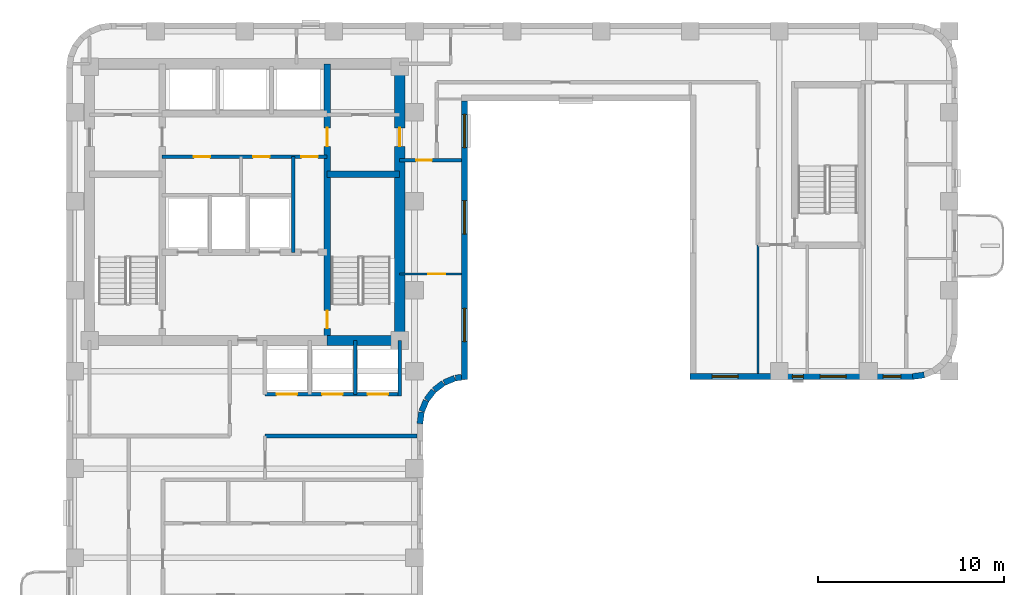
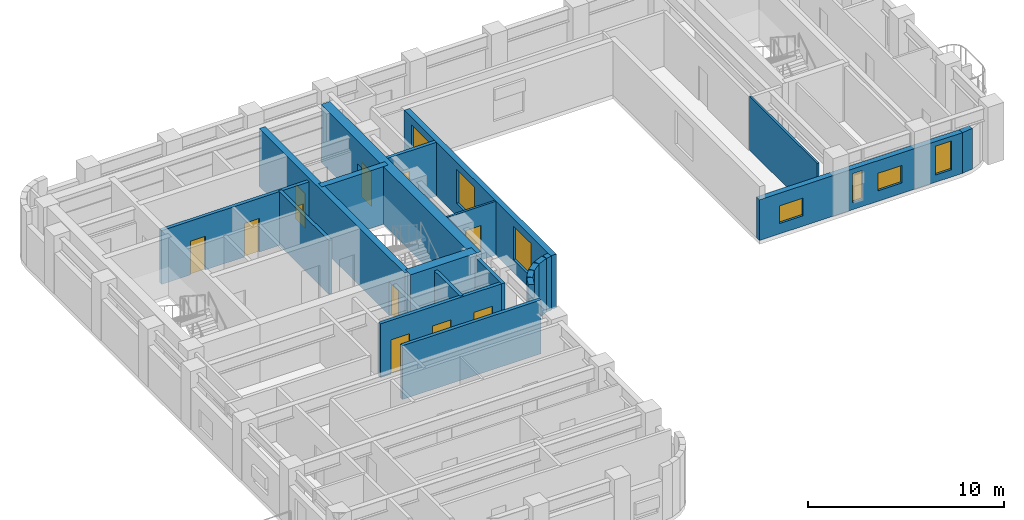
# One storey, part 4 of 9: 22 walls, 11 doors, 7 windows, 18 openings.
"""IFC4 building model written with IfcOpenShell, lengths in metres."""

from ifc_helpers import new_model, si_unit, direction, frame, frame_2d, origin, place, context, subcontext, project, spatial, rectangle, extrude, material, layer, layer_set, type_object, element, fill, save


model = new_model("IFC4")

# Units and contexts
model_context = context("Model", 3, precision=1e-05, world=origin(), true_north=direction((0.0, 1.0)))
body_context = subcontext(model_context, "Body", "Model", "MODEL_VIEW")
ifc_project = project(units=[si_unit("LENGTHUNIT", "METRE"), si_unit("AREAUNIT", "SQUARE_METRE"), si_unit("VOLUMEUNIT", "CUBIC_METRE"), si_unit("PLANEANGLEUNIT", "RADIAN"), si_unit("MASSUNIT", "GRAM", prefix="KILO")], contexts=[model_context])

# Site, building, storey
site_placement = place(None, origin())
site = spatial("IfcSite", under=ifc_project, at=site_placement, CompositionType="ELEMENT")
building_placement = place(site_placement, origin())
building = spatial("IfcBuilding", under=site, at=building_placement, Name="Orvandelia Arch Residences", CompositionType="ELEMENT")
storey_placement = place(building_placement, frame((0.0, 0.0, 186.39990234375)))
storey = spatial("IfcBuildingStorey", under=building, at=storey_placement, Name="L49", CompositionType="ELEMENT", Elevation=186.39990234375)

# Wall, openings, doors
ifc_material_1 = material(Name="Concrete C50/60", Category="concrete")
ifc_layer_1 = layer(ifc_material_1, 0.35009765625, Name="Concrete C50/60", Category="concrete")
ifc_layer_set_1 = layer_set([ifc_layer_1], Name="Concrete C50/60")
wall_type_1 = type_object("IfcWallType", Name="WL-CORE-350", PredefinedType="SHEAR", material=ifc_layer_set_1)
wall_1_placement = place(storey_placement, frame((18.840087890625, 30.89990234375, 0.0), z_axis=(0.0, 0.0, 1.0), x_axis=(0.0, 1.0, 0.0)))
wall_1 = element("IfcWall", 1, at=wall_1_placement, inside=storey, type_object=wall_type_1, Name="Core Shear Wall L49-WEB2", PredefinedType="SHEAR", context=body_context, shape_type="SweptSolid", body=[
    extrude(rectangle(XDim=14.900146484375, YDim=0.35009765625, at=frame_2d((7.4501953125, 0.0))), origin(), (0.0, 0.0, 1.0), 3.60009765625),
])
opening_1_placement = place(wall_1_placement, frame((0.64990234375, 0.0, 0.0)))
opening_1 = element("IfcOpeningElement", 2, at=opening_1_placement, cuts=wall_1, Name="Opening D7", PredefinedType="OPENING", context=body_context, shape_type="SweptSolid", body=[
    extrude(rectangle(XDim=0.949951171875, YDim=2.10009765625, at=frame_2d((0.47509765625, 1.050048828125))), frame((0.0, 0.18505859375, 0.0), z_axis=(0.0, -1.0, 0.0), x_axis=(1.0, 0.0, 0.0)), (0.0, 0.0, 1.0), 0.3701171875),
])
opening_2_placement = place(wall_1_placement, frame((10.449951171875, 0.0, 0.0)))
opening_2 = element("IfcOpeningElement", 3, at=opening_2_placement, cuts=wall_1, Name="Opening D6", PredefinedType="OPENING", context=body_context, shape_type="SweptSolid", body=[
    extrude(rectangle(XDim=1.0, YDim=2.14990234375, at=frame_2d((0.5, 1.074951171875))), frame((0.0, 0.18505859375, 0.0), z_axis=(0.0, -1.0, 0.0), x_axis=(1.0, 0.0, 0.0)), (0.0, 0.0, 1.0), 0.3701171875),
])
ifc_material_2 = material(Name="Smokeproof Painted Steel Fire Door", Category="steel")
door_type_1 = type_object("IfcDoorType", Name="DR-FD60-1000", OperationType="NOTDEFINED", PredefinedType="DOOR", material=ifc_material_2)
door_1_placement = place(opening_2_placement, origin())
door_1 = element("IfcDoor", 4, at=door_1_placement, inside=storey, type_object=door_type_1, Name="High-Rise Lift Hall East Vestibule Door L49", OperationType="SINGLE_SWING_RIGHT", OverallHeight=2.14990234375, OverallWidth=1.0, PredefinedType="DOOR", context=body_context, shape_type="SweptSolid", body=[
    extrude(rectangle(XDim=1.0, YDim=2.14990234375, at=frame_2d((0.5, 1.074951171875))), frame((0.0, 0.02490234375, 0.0), z_axis=(0.0, -1.0, 0.0), x_axis=(1.0, 0.0, 0.0)), (0.0, 0.0, 1.0), 0.050048828125),
])
fill(opening_2, door_1)
ifc_material_3 = material(Name="Pressurised Stairwell Fire Door")
door_type_2 = type_object("IfcDoorType", Name="DR-STAIR-950", OperationType="NOTDEFINED", PredefinedType="DOOR", material=ifc_material_3)
door_2_placement = place(opening_1_placement, origin())
door_2 = element("IfcDoor", 5, at=door_2_placement, inside=storey, type_object=door_type_2, Name="Stairwell ST-2 Fire Door L49", OperationType="SINGLE_SWING_RIGHT", OverallHeight=2.10009765625, OverallWidth=0.949951171875, PredefinedType="DOOR", context=body_context, shape_type="SweptSolid", body=[
    extrude(rectangle(XDim=0.949951171875, YDim=2.10009765625, at=frame_2d((0.47509765625, 1.050048828125))), frame((0.0, 0.02490234375, 0.0), z_axis=(0.0, -1.0, 0.0), x_axis=(1.0, 0.0, 0.0)), (0.0, 0.0, 1.0), 0.050048828125),
])
fill(opening_1, door_2)

# Wall
wall_2_placement = place(storey_placement, frame((18.840087890625, 39.85009765625, 0.0), z_axis=(0.0, 0.0, 1.0), x_axis=(1.0, 0.0, 0.0)))
element("IfcWall", 6, at=wall_2_placement, inside=storey, type_object=wall_type_1, Name="Core Shear Wall L49-HZ2", PredefinedType="SHEAR", context=body_context, shape_type="SweptSolid", body=[
    extrude(rectangle(XDim=3.909912109375, YDim=0.35009765625, at=frame_2d((1.955078125, 0.0))), origin(), (0.0, 0.0, 1.0), 3.60009765625),
])

# Wall, opening, door
ifc_material_4 = material(Name="Concrete C60/75", Category="concrete")
ifc_layer_2 = layer(ifc_material_4, 0.550048828125, Name="Concrete C60/75", Category="concrete")
ifc_layer_set_2 = layer_set([ifc_layer_2], Name="Concrete C60/75")
wall_type_2 = type_object("IfcWallType", Name="WL-CORE-550", PredefinedType="SHEAR", material=ifc_layer_set_2)
wall_3_placement = place(storey_placement, frame((22.75, 30.625, 0.0), z_axis=(0.0, 0.0, 1.0), x_axis=(0.0, 1.0, 0.0)))
wall_3 = element("IfcWall", 7, at=wall_3_placement, inside=storey, type_object=wall_type_2, Name="Core Shear Wall L49-E", PredefinedType="SHEAR", context=body_context, shape_type="SweptSolid", body=[
    extrude(rectangle(XDim=15.449951171875, YDim=0.550048828125, at=frame_2d((7.72509765625, 0.0))), origin(), (0.0, 0.0, 1.0), 3.60009765625),
])
opening_3_placement = place(wall_3_placement, frame((10.72509765625, 0.0, 0.0)))
opening_3 = element("IfcOpeningElement", 8, at=opening_3_placement, cuts=wall_3, Name="Opening D6", PredefinedType="OPENING", context=body_context, shape_type="SweptSolid", body=[
    extrude(rectangle(XDim=1.0, YDim=2.14990234375, at=frame_2d((0.5, 1.074951171875))), frame((0.0, 0.28515625, 0.0), z_axis=(0.0, -1.0, 0.0), x_axis=(1.0, 0.0, 0.0)), (0.0, 0.0, 1.0), 0.570068359375),
])
door_3_placement = place(opening_3_placement, origin())
door_3 = element("IfcDoor", 9, at=door_3_placement, inside=storey, type_object=door_type_1, Name="Core East Corridor Link Door L49", OperationType="SINGLE_SWING_LEFT", OverallHeight=2.14990234375, OverallWidth=1.0, PredefinedType="DOOR", context=body_context, shape_type="SweptSolid", body=[
    extrude(rectangle(XDim=1.0, YDim=2.14990234375, at=frame_2d((0.5, 1.074951171875))), frame((0.0, 0.02490234375, 0.0), z_axis=(0.0, -1.0, 0.0), x_axis=(1.0, 0.0, 0.0)), (0.0, 0.0, 1.0), 0.050048828125),
])
fill(opening_3, door_3)

# Walls
wall_4_placement = place(storey_placement, frame((18.840087890625, 30.89990234375, 0.0), z_axis=(0.0, 0.0, 1.0), x_axis=(1.0, 0.0, 0.0)))
element("IfcWall", 10, at=wall_4_placement, inside=storey, type_object=wall_type_2, Name="Core Shear Wall L49-SE", PredefinedType="SHEAR", context=body_context, shape_type="SweptSolid", body=[
    extrude(rectangle(XDim=3.909912109375, YDim=0.550048828125, at=frame_2d((1.955078125, 0.0))), origin(), (0.0, 0.0, 1.0), 3.60009765625),
])
ifc_material_5 = material(Name="Fire-Rated Corridor Partition")
ifc_layer_3 = layer(ifc_material_5, 0.199951171875, Name="Fire-Rated Corridor Partition")
ifc_layer_set_3 = layer_set([ifc_layer_3], Name="Fire-Rated Corridor Partition")
wall_type_3 = type_object("IfcWallType", Name="WL-CORR-200", PredefinedType="PARTITIONING", material=ifc_layer_set_3)
wall_5_placement = place(storey_placement, frame((15.5, 25.75, 0.0), z_axis=(0.0, 0.0, 1.0), x_axis=(1.0, 0.0, 0.0)))
element("IfcWall", 11, at=wall_5_placement, inside=storey, type_object=wall_type_3, Name="Interior Partition Wall WL-L49-WLNK-NE2", PredefinedType="PARTITIONING", context=body_context, shape_type="SweptSolid", body=[
    extrude(rectangle(XDim=8.179931640625, YDim=0.199951171875, at=frame_2d((4.08984375, 0.0))), origin(), (0.0, 0.0, 1.0), 3.360107421875),
])

# Wall, opening, door
wall_6_placement = place(storey_placement, frame((22.75, 40.60009765625, 0.0), z_axis=(0.0, 0.0, 1.0), x_axis=(1.0, 0.0, 0.0)))
wall_6 = element("IfcWall", 12, at=wall_6_placement, inside=storey, type_object=wall_type_3, Name="Interior Partition Wall WL-L49-ENP-LS", PredefinedType="PARTITIONING", context=body_context, shape_type="SweptSolid", body=[
    extrude(rectangle(XDim=3.330078125, YDim=0.199951171875, at=frame_2d((1.6650390625, 0.0))), origin(), (0.0, 0.0, 1.0), 3.360107421875),
])
opening_4_placement = place(wall_6_placement, frame((0.8798828125, 0.0, 0.0)))
opening_4 = element("IfcOpeningElement", 13, at=opening_4_placement, cuts=wall_6, Name="Opening D4", PredefinedType="OPENING", context=body_context, shape_type="SweptSolid", body=[
    extrude(rectangle(XDim=0.860107421875, YDim=2.10009765625, at=frame_2d((0.43017578125, 1.050048828125))), frame((0.0, 0.10986328125, 0.0), z_axis=(0.0, -1.0, 0.0), x_axis=(1.0, 0.0, 0.0)), (0.0, 0.0, 1.0), 0.219970703125),
])
ifc_material_6 = material(Name="Moisture-Sealed Timber Bathroom Door", Category="wood")
door_type_3 = type_object("IfcDoorType", Name="DR-WET-900", OperationType="NOTDEFINED", PredefinedType="DOOR", material=ifc_material_6)
door_4_placement = place(opening_4_placement, origin())
door_4 = element("IfcDoor", 14, at=door_4_placement, inside=storey, type_object=door_type_3, Name="DR-L49-VPWL2", OperationType="SINGLE_SWING_RIGHT", OverallHeight=2.10009765625, OverallWidth=0.860107421875, PredefinedType="DOOR", context=body_context, shape_type="SweptSolid", body=[
    extrude(rectangle(XDim=0.860107421875, YDim=2.10009765625, at=frame_2d((0.43017578125, 1.050048828125))), frame((0.0, 0.02490234375, 0.0), z_axis=(0.0, -1.0, 0.0), x_axis=(1.0, 0.0, 0.0)), (0.0, 0.0, 1.0), 0.050048828125),
])
fill(opening_4, door_4)

# Wall
ifc_material_7 = material(Name="Precast concrete C40/50", Category="concrete")
ifc_layer_4 = layer(ifc_material_7, 0.320068359375, Name="Precast concrete C40/50", Category="concrete")
ifc_layer_set_4 = layer_set([ifc_layer_4], Name="Precast concrete C40/50")
wall_type_4 = type_object("IfcWallType", Name="WL-EXT-STONE-320", PredefinedType="STANDARD", material=ifc_layer_set_4)
wall_7_placement = place(storey_placement, frame((51.000244140625, 29.040283203125, 0.0), z_axis=(0.0, 0.0, 1.0), x_axis=(-0.9914410257, -0.130555323746, 0.0)))
element("IfcWall", 15, at=wall_7_placement, inside=storey, type_object=wall_type_4, Name="Coral-Limestone Precast Facade Wall L49-020", PredefinedType="STANDARD", context=body_context, shape_type="SweptSolid", body=[
    extrude(rectangle(XDim=0.62646484375, YDim=0.320068359375, at=frame_2d((0.313232421875, 0.0))), origin(), (0.0, 0.0, 1.0), 2.5400390625),
])

# Wall, openings, windows
wall_8_placement = place(storey_placement, frame((50.39990234375, 28.9599609375, 0.0), z_axis=(0.0, 0.0, 1.0), x_axis=(-1.0, 0.0, 0.0)))
wall_8 = element("IfcWall", 16, at=wall_8_placement, inside=storey, type_object=wall_type_4, Name="Coral-Limestone Precast Facade Wall L49-021", PredefinedType="STANDARD", context=body_context, shape_type="SweptSolid", body=[
    extrude(rectangle(XDim=12.0, YDim=0.320068359375, at=frame_2d((6.0, 0.0))), origin(), (0.0, 0.0, 1.0), 2.5400390625),
])
opening_5_placement = place(wall_8_placement, frame((0.656005859375, 0.0, 0.449951171875)))
opening_5 = element("IfcOpeningElement", 17, at=opening_5_placement, cuts=wall_8, Name="Opening W4", PredefinedType="OPENING", context=body_context, shape_type="SweptSolid", body=[
    extrude(rectangle(XDim=0.949951171875, YDim=1.800048828125, at=frame_2d((0.47509765625, 0.89990234375))), frame((0.0, 0.169921875, 0.0), z_axis=(0.0, -1.0, 0.0), x_axis=(1.0, 0.0, 0.0)), (0.0, 0.0, 1.0), 0.340087890625),
])
opening_6_placement = place(wall_8_placement, frame((9.425048828125, 0.0, 0.64990234375)))
opening_6 = element("IfcOpeningElement", 18, at=opening_6_placement, cuts=wall_8, Name="Opening W10", PredefinedType="OPENING", context=body_context, shape_type="SweptSolid", body=[
    extrude(rectangle(XDim=1.39990234375, YDim=1.10009765625, at=frame_2d((0.699951171875, 0.550048828125))), frame((0.0, 0.169921875, 0.0), z_axis=(0.0, -1.0, 0.0), x_axis=(1.0, 0.0, 0.0)), (0.0, 0.0, 1.0), 0.340087890625),
])
opening_7_placement = place(wall_8_placement, frame((5.902587890625, 0.0, 0.449951171875)))
opening_7 = element("IfcOpeningElement", 19, at=opening_7_placement, cuts=wall_8, Name="Opening W12", PredefinedType="OPENING", context=body_context, shape_type="SweptSolid", body=[
    extrude(rectangle(XDim=0.60009765625, YDim=1.800048828125, at=frame_2d((0.300048828125, 0.89990234375))), frame((0.0, 0.169921875, 0.0), z_axis=(0.0, -1.0, 0.0), x_axis=(1.0, 0.0, 0.0)), (0.0, 0.0, 1.0), 0.340087890625),
])
opening_8_placement = place(wall_8_placement, frame((3.597412109375, 0.0, 0.64990234375)))
opening_8 = element("IfcOpeningElement", 20, at=opening_8_placement, cuts=wall_8, Name="Opening W10", PredefinedType="OPENING", context=body_context, shape_type="SweptSolid", body=[
    extrude(rectangle(XDim=1.39990234375, YDim=1.10009765625, at=frame_2d((0.699951171875, 0.550048828125))), frame((0.0, 0.169921875, 0.0), z_axis=(0.0, -1.0, 0.0), x_axis=(1.0, 0.0, 0.0)), (0.0, 0.0, 1.0), 0.340087890625),
])
ifc_material_8 = material(Name="Tempered Low-E Insulated Glazing", Category="glass")
window_type_1 = type_object("IfcWindowType", Name="WIN-CLR-1400x1100", PartitioningType="SINGLE_PANEL", PredefinedType="WINDOW", material=ifc_material_8)
window_1_placement = place(opening_6_placement, origin())
window_1 = element("IfcWindow", 21, at=window_1_placement, inside=storey, type_object=window_type_1, Name="Recessed Punched Window L49-008", OverallHeight=1.10009765625, OverallWidth=1.39990234375, PartitioningType="SINGLE_PANEL", PredefinedType="WINDOW", context=body_context, shape_type="SweptSolid", body=[
    extrude(rectangle(XDim=1.39990234375, YDim=1.10009765625, at=frame_2d((0.699951171875, 0.550048828125))), frame((0.0, 0.030029296875, 0.0), z_axis=(0.0, -1.0, 0.0), x_axis=(1.0, 0.0, 0.0)), (0.0, 0.0, 1.0), 0.06005859375),
])
fill(opening_6, window_1)
window_2_placement = place(opening_8_placement, origin())
window_2 = element("IfcWindow", 22, at=window_2_placement, inside=storey, type_object=window_type_1, Name="Recessed Punched Window L49-010", OverallHeight=1.10009765625, OverallWidth=1.39990234375, PartitioningType="SINGLE_PANEL", PredefinedType="WINDOW", context=body_context, shape_type="SweptSolid", body=[
    extrude(rectangle(XDim=1.39990234375, YDim=1.10009765625, at=frame_2d((0.699951171875, 0.550048828125))), frame((0.0, 0.030029296875, 0.0), z_axis=(0.0, -1.0, 0.0), x_axis=(1.0, 0.0, 0.0)), (0.0, 0.0, 1.0), 0.06005859375),
])
fill(opening_8, window_2)
window_type_2 = type_object("IfcWindowType", Name="WIN-LAN-0600x1800", PartitioningType="SINGLE_PANEL", PredefinedType="WINDOW", material=ifc_material_8)
window_3_placement = place(opening_7_placement, origin())
window_3 = element("IfcWindow", 23, at=window_3_placement, inside=storey, type_object=window_type_2, Name="Recessed Punched Window L49-009", OverallHeight=1.800048828125, OverallWidth=0.60009765625, PartitioningType="SINGLE_PANEL", PredefinedType="WINDOW", context=body_context, shape_type="SweptSolid", body=[
    extrude(rectangle(XDim=0.60009765625, YDim=1.800048828125, at=frame_2d((0.300048828125, 0.89990234375))), frame((0.0, 0.030029296875, 0.0), z_axis=(0.0, -1.0, 0.0), x_axis=(1.0, 0.0, 0.0)), (0.0, 0.0, 1.0), 0.06005859375),
])
fill(opening_7, window_3)
window_type_3 = type_object("IfcWindowType", Name="WIN-RES-0950x1800", PartitioningType="SINGLE_PANEL", PredefinedType="WINDOW", material=ifc_material_8)
window_4_placement = place(opening_5_placement, origin())
window_4 = element("IfcWindow", 24, at=window_4_placement, inside=storey, type_object=window_type_3, Name="Recessed Punched Window L49-007", OverallHeight=1.800048828125, OverallWidth=0.949951171875, PartitioningType="SINGLE_PANEL", PredefinedType="WINDOW", context=body_context, shape_type="SweptSolid", body=[
    extrude(rectangle(XDim=0.949951171875, YDim=1.800048828125, at=frame_2d((0.47509765625, 0.89990234375))), frame((0.0, 0.030029296875, 0.0), z_axis=(0.0, -1.0, 0.0), x_axis=(1.0, 0.0, 0.0)), (0.0, 0.0, 1.0), 0.06005859375),
])
fill(opening_5, window_4)

wall_9_placement = place(storey_placement, frame((26.239990234375, 43.800048828125, 0.0), z_axis=(0.0, 0.0, 1.0), x_axis=(0.0, -1.0, 0.0)))
wall_9 = element("IfcWall", 25, at=wall_9_placement, inside=storey, type_object=wall_type_4, Name="Coral-Limestone Precast Facade Wall L49-024", PredefinedType="STANDARD", context=body_context, shape_type="SweptSolid", body=[
    extrude(rectangle(XDim=15.0, YDim=0.320068359375, at=frame_2d((7.5, 0.0))), origin(), (0.0, 0.0, 1.0), 3.360107421875),
])
opening_9_placement = place(wall_9_placement, frame((11.169921875, 0.0, 0.800048828125)))
opening_9 = element("IfcOpeningElement", 26, at=opening_9_placement, cuts=wall_9, Name="Opening W1", PredefinedType="OPENING", context=body_context, shape_type="SweptSolid", body=[
    extrude(rectangle(XDim=1.800048828125, YDim=2.10009765625, at=frame_2d((0.89990234375, 1.050048828125))), frame((0.0, 0.169921875, 0.0), z_axis=(0.0, -1.0, 0.0), x_axis=(1.0, 0.0, 0.0)), (0.0, 0.0, 1.0), 0.340087890625),
])
opening_10_placement = place(wall_9_placement, frame((5.3701171875, 0.0, 0.800048828125)))
opening_10 = element("IfcOpeningElement", 27, at=opening_10_placement, cuts=wall_9, Name="Opening W1", PredefinedType="OPENING", context=body_context, shape_type="SweptSolid", body=[
    extrude(rectangle(XDim=1.800048828125, YDim=2.10009765625, at=frame_2d((0.89990234375, 1.050048828125))), frame((0.0, 0.169921875, 0.0), z_axis=(0.0, -1.0, 0.0), x_axis=(1.0, 0.0, 0.0)), (0.0, 0.0, 1.0), 0.340087890625),
])
opening_11_placement = place(wall_9_placement, frame((0.719970703125, 0.0, 0.800048828125)))
opening_11 = element("IfcOpeningElement", 28, at=opening_11_placement, cuts=wall_9, Name="Opening W1", PredefinedType="OPENING", context=body_context, shape_type="SweptSolid", body=[
    extrude(rectangle(XDim=1.800048828125, YDim=2.10009765625, at=frame_2d((0.89990234375, 1.050048828125))), frame((0.0, 0.169921875, 0.0), z_axis=(0.0, -1.0, 0.0), x_axis=(1.0, 0.0, 0.0)), (0.0, 0.0, 1.0), 0.340087890625),
])
window_type_4 = type_object("IfcWindowType", Name="WIN-RES-1800x2100", PartitioningType="SINGLE_PANEL", PredefinedType="WINDOW", material=ifc_material_8)
window_5_placement = place(opening_9_placement, origin())
window_5 = element("IfcWindow", 29, at=window_5_placement, inside=storey, type_object=window_type_4, Name="Recessed Punched Window L49-013", OverallHeight=2.10009765625, OverallWidth=1.800048828125, PartitioningType="SINGLE_PANEL", PredefinedType="WINDOW", context=body_context, shape_type="SweptSolid", body=[
    extrude(rectangle(XDim=1.800048828125, YDim=2.10009765625, at=frame_2d((0.89990234375, 1.050048828125))), frame((0.0, 0.030029296875, 0.0), z_axis=(0.0, -1.0, 0.0), x_axis=(1.0, 0.0, 0.0)), (0.0, 0.0, 1.0), 0.06005859375),
])
fill(opening_9, window_5)
window_6_placement = place(opening_10_placement, origin())
window_6 = element("IfcWindow", 30, at=window_6_placement, inside=storey, type_object=window_type_4, Name="Recessed Punched Window L49-014", OverallHeight=2.10009765625, OverallWidth=1.800048828125, PartitioningType="SINGLE_PANEL", PredefinedType="WINDOW", context=body_context, shape_type="SweptSolid", body=[
    extrude(rectangle(XDim=1.800048828125, YDim=2.10009765625, at=frame_2d((0.89990234375, 1.050048828125))), frame((0.0, 0.030029296875, 0.0), z_axis=(0.0, -1.0, 0.0), x_axis=(1.0, 0.0, 0.0)), (0.0, 0.0, 1.0), 0.06005859375),
])
fill(opening_10, window_6)
window_7_placement = place(opening_11_placement, origin())
window_7 = element("IfcWindow", 31, at=window_7_placement, inside=storey, type_object=window_type_4, Name="Recessed Punched Window L49-015", OverallHeight=2.10009765625, OverallWidth=1.800048828125, PartitioningType="SINGLE_PANEL", PredefinedType="WINDOW", context=body_context, shape_type="SweptSolid", body=[
    extrude(rectangle(XDim=1.800048828125, YDim=2.10009765625, at=frame_2d((0.89990234375, 1.050048828125))), frame((0.0, 0.030029296875, 0.0), z_axis=(0.0, -1.0, 0.0), x_axis=(1.0, 0.0, 0.0)), (0.0, 0.0, 1.0), 0.06005859375),
])
fill(opening_11, window_7)

# Walls
wall_10_placement = place(storey_placement, frame((26.081787109375, 28.91943359375, 0.0), z_axis=(0.0, 0.0, 1.0), x_axis=(-0.991512688813, -0.130009953168, 0.0)))
element("IfcWall", 32, at=wall_10_placement, inside=storey, type_object=wall_type_4, Name="Coral-Limestone Precast Facade Wall L49-025", PredefinedType="STANDARD", context=body_context, shape_type="SweptSolid", body=[
    extrude(rectangle(XDim=0.32666015625, YDim=0.320068359375, at=frame_2d((0.163330078125, 0.0))), origin(), (0.0, 0.0, 1.0), 3.360107421875),
])
wall_11_placement = place(storey_placement, frame((25.717529296875, 28.865966796875, 0.0), z_axis=(0.0, 0.0, 1.0), x_axis=(-0.923836271867, -0.382787856107, 0.0)))
element("IfcWall", 33, at=wall_11_placement, inside=storey, type_object=wall_type_4, Name="Coral-Limestone Precast Facade Wall L49-026", PredefinedType="STANDARD", context=body_context, shape_type="SweptSolid", body=[
    extrude(rectangle(XDim=0.626220703125, YDim=0.320068359375, at=frame_2d((0.31298828125, 0.0))), origin(), (0.0, 0.0, 1.0), 3.360107421875),
])
for number, where, z_axis, x_axis, name in (
    (34, (25.1025390625, 28.60546875, 0.0), (0.0, 0.0, 1.0), (-0.793405610854, -0.608693302629, 0.0), "Coral-Limestone Precast Facade Wall L49-027"),
    (35, (24.575927734375, 28.194580078125, 0.0), (0.0, 0.0, 1.0), (-0.608693302629, -0.793405610854, 0.0), "Coral-Limestone Precast Facade Wall L49-028"),
):
    element("IfcWall", number, at=place(storey_placement, frame(where, z_axis=z_axis, x_axis=x_axis)), inside=storey, type_object=wall_type_4, Name=name, PredefinedType="STANDARD", context=body_context, shape_type="SweptSolid", body=[
        extrude(rectangle(XDim=0.62646484375, YDim=0.320068359375, at=frame_2d((0.313232421875, 0.0))), origin(), (0.0, 0.0, 1.0), 3.360107421875),
    ])
wall_12_placement = place(storey_placement, frame((24.173583984375, 27.6611328125, 0.0), z_axis=(0.0, 0.0, 1.0), x_axis=(-0.382455093999, -0.923974080304, 0.0)))
element("IfcWall", 36, at=wall_12_placement, inside=storey, type_object=wall_type_4, Name="Coral-Limestone Precast Facade Wall L49-029", PredefinedType="STANDARD", context=body_context, shape_type="SweptSolid", body=[
    extrude(rectangle(XDim=0.626220703125, YDim=0.320068359375, at=frame_2d((0.31298828125, 0.0))), origin(), (0.0, 0.0, 1.0), 3.360107421875),
])
wall_13_placement = place(storey_placement, frame((23.923095703125, 27.0419921875, 0.0), z_axis=(0.0, 0.0, 1.0), x_axis=(-0.130555323746, -0.9914410257, 0.0)))
element("IfcWall", 37, at=wall_13_placement, inside=storey, type_object=wall_type_4, Name="Coral-Limestone Precast Facade Wall L49-030", PredefinedType="STANDARD", context=body_context, shape_type="SweptSolid", body=[
    extrude(rectangle(XDim=0.62646484375, YDim=0.320068359375, at=frame_2d((0.313232421875, 0.0))), origin(), (0.0, 0.0, 1.0), 2.5400390625),
])

# Wall, opening, door
ifc_material_9 = material(Name="Lightweight Gypsum Stud Partition")
ifc_layer_5 = layer(ifc_material_9, 0.1201171875, Name="Lightweight Gypsum Stud Partition")
ifc_layer_set_5 = layer_set([ifc_layer_5], Name="Lightweight Gypsum Stud Partition")
wall_type_5 = type_object("IfcWallType", Name="WL-PART-120", PredefinedType="PARTITIONING", material=ifc_layer_set_5)
wall_14_placement = place(storey_placement, frame((22.75, 34.47998046875, 0.0), z_axis=(0.0, 0.0, 1.0), x_axis=(1.0, 0.0, 0.0)))
wall_14 = element("IfcWall", 38, at=wall_14_placement, inside=storey, type_object=wall_type_5, Name="Interior Partition Wall WL-L49-VPW-M", PredefinedType="PARTITIONING", context=body_context, shape_type="SweptSolid", body=[
    extrude(rectangle(XDim=3.330078125, YDim=0.1201171875, at=frame_2d((1.6650390625, 0.0))), origin(), (0.0, 0.0, 1.0), 3.360107421875),
])
opening_12_placement = place(wall_14_placement, frame((1.550048828125, 0.0, 0.0)))
opening_12 = element("IfcOpeningElement", 39, at=opening_12_placement, cuts=wall_14, Name="Opening D3", PredefinedType="OPENING", context=body_context, shape_type="SweptSolid", body=[
    extrude(rectangle(XDim=0.89990234375, YDim=2.14990234375, at=frame_2d((0.449951171875, 1.074951171875))), frame((0.0, 0.070068359375, 0.0), z_axis=(0.0, -1.0, 0.0), x_axis=(1.0, 0.0, 0.0)), (0.0, 0.0, 1.0), 0.14013671875),
])
ifc_material_10 = material(Name="Engineered Timber Flush Door", Category="wood")
door_type_4 = type_object("IfcDoorType", Name="DR-INT-900", OperationType="NOTDEFINED", PredefinedType="DOOR", material=ifc_material_10)
door_5_placement = place(opening_12_placement, origin())
door_5 = element("IfcDoor", 40, at=door_5_placement, inside=storey, type_object=door_type_4, Name="DR-L49-VPWL1", OperationType="SINGLE_SWING_LEFT", OverallHeight=2.14990234375, OverallWidth=0.89990234375, PredefinedType="DOOR", context=body_context, shape_type="SweptSolid", body=[
    extrude(rectangle(XDim=0.89990234375, YDim=2.14990234375, at=frame_2d((0.449951171875, 1.074951171875))), frame((0.0, 0.02490234375, 0.0), z_axis=(0.0, -1.0, 0.0), x_axis=(1.0, 0.0, 0.0)), (0.0, 0.0, 1.0), 0.050048828125),
])
fill(opening_12, door_5)

# Walls
wall_15_placement = place(storey_placement, frame((42.050048828125, 29.1201171875, 0.0), z_axis=(0.0, 0.0, 1.0), x_axis=(0.0, 1.0, 0.0)))
element("IfcWall", 41, at=wall_15_placement, inside=storey, type_object=wall_type_5, Name="Interior Partition Wall WL-L49-VPS3-W", PredefinedType="PARTITIONING", context=body_context, shape_type="SweptSolid", body=[
    extrude(rectangle(XDim=6.929931640625, YDim=0.1201171875, at=frame_2d((3.46484375, 0.0))), origin(), (0.0, 0.0, 1.0), 3.360107421875),
])
ifc_material_11 = material(Name="Fire-Rated Shaft Enclosure Wall")
ifc_layer_6 = layer(ifc_material_11, 0.199951171875, Name="Fire-Rated Shaft Enclosure Wall")
ifc_layer_set_6 = layer_set([ifc_layer_6], Name="Fire-Rated Shaft Enclosure Wall")
wall_type_6 = type_object("IfcWallType", Name="WL-SHAFT-200", PredefinedType="POLYGONAL", material=ifc_layer_set_6)
wall_16_placement = place(storey_placement, frame((17.02001953125, 35.64990234375, 0.0), z_axis=(0.0, 0.0, 1.0), x_axis=(0.0, 1.0, 0.0)))
element("IfcWall", 42, at=wall_16_placement, inside=storey, type_object=wall_type_6, Name="Interior Partition Wall WL-L49-FLM3", PredefinedType="POLYGONAL", context=body_context, shape_type="SweptSolid", body=[
    extrude(rectangle(XDim=5.150146484375, YDim=0.199951171875, at=frame_2d((2.5751953125, 0.0))), origin(), (0.0, 0.0, 1.0), 3.360107421875),
])

# Wall, openings, doors
wall_17_placement = place(storey_placement, frame((9.9599609375, 40.800048828125, 0.0), z_axis=(0.0, 0.0, 1.0), x_axis=(1.0, 0.0, 0.0)))
wall_17 = element("IfcWall", 43, at=wall_17_placement, inside=storey, type_object=wall_type_6, Name="Interior Partition Wall WL-L49-HLH-S", PredefinedType="POLYGONAL", context=body_context, shape_type="SweptSolid", body=[
    extrude(rectangle(XDim=8.880126953125, YDim=0.199951171875, at=frame_2d((4.43994140625, 0.0))), origin(), (0.0, 0.0, 1.0), 3.360107421875),
])
opening_13_placement = place(wall_17_placement, frame((7.5, 0.0, 0.0)))
opening_13 = element("IfcOpeningElement", 44, at=opening_13_placement, cuts=wall_17, Name="Opening D5", PredefinedType="OPENING", context=body_context, shape_type="SweptSolid", body=[
    extrude(rectangle(XDim=0.8798828125, YDim=2.10009765625, at=frame_2d((0.43994140625, 1.050048828125))), frame((0.0, 0.10986328125, 0.0), z_axis=(0.0, -1.0, 0.0), x_axis=(1.0, 0.0, 0.0)), (0.0, 0.0, 1.0), 0.219970703125),
])
opening_14_placement = place(wall_17_placement, frame((1.699951171875, 0.0, 0.0)))
opening_14 = element("IfcOpeningElement", 45, at=opening_14_placement, cuts=wall_17, Name="Opening D5", PredefinedType="OPENING", context=body_context, shape_type="SweptSolid", body=[
    extrude(rectangle(XDim=0.8798828125, YDim=2.10009765625, at=frame_2d((0.43994140625, 1.050048828125))), frame((0.0, 0.10986328125, 0.0), z_axis=(0.0, -1.0, 0.0), x_axis=(1.0, 0.0, 0.0)), (0.0, 0.0, 1.0), 0.219970703125),
])
opening_15_placement = place(wall_17_placement, frame((4.89990234375, 0.0, 0.0)))
opening_15 = element("IfcOpeningElement", 46, at=opening_15_placement, cuts=wall_17, Name="Opening D5", PredefinedType="OPENING", context=body_context, shape_type="SweptSolid", body=[
    extrude(rectangle(XDim=0.8798828125, YDim=2.10009765625, at=frame_2d((0.43994140625, 1.050048828125))), frame((0.0, 0.10986328125, 0.0), z_axis=(0.0, -1.0, 0.0), x_axis=(1.0, 0.0, 0.0)), (0.0, 0.0, 1.0), 0.219970703125),
])
ifc_material_12 = material(Name="Painted Galvanised Steel Service Door", Category="steel")
door_type_5 = type_object("IfcDoorType", Name="DR-SRV-880", OperationType="NOTDEFINED", PredefinedType="DOOR", material=ifc_material_12)
door_6_placement = place(opening_13_placement, origin())
door_6 = element("IfcDoor", 47, at=door_6_placement, inside=storey, type_object=door_type_5, Name="Core Stairway Passage North Fire Door L49", OperationType="SINGLE_SWING_RIGHT", OverallHeight=2.10009765625, OverallWidth=0.8798828125, PredefinedType="DOOR", context=body_context, shape_type="SweptSolid", body=[
    extrude(rectangle(XDim=0.8798828125, YDim=2.10009765625, at=frame_2d((0.43994140625, 1.050048828125))), frame((0.0, 0.02490234375, 0.0), z_axis=(0.0, -1.0, 0.0), x_axis=(1.0, 0.0, 0.0)), (0.0, 0.0, 1.0), 0.050048828125),
])
fill(opening_13, door_6)
door_7_placement = place(opening_14_placement, origin())
door_7 = element("IfcDoor", 48, at=door_7_placement, inside=storey, type_object=door_type_5, Name="DR-L49-CSA1", OperationType="SINGLE_SWING_LEFT", OverallHeight=2.10009765625, OverallWidth=0.8798828125, PredefinedType="DOOR", context=body_context, shape_type="SweptSolid", body=[
    extrude(rectangle(XDim=0.8798828125, YDim=2.10009765625, at=frame_2d((0.43994140625, 1.050048828125))), frame((0.0, 0.02490234375, 0.0), z_axis=(0.0, -1.0, 0.0), x_axis=(1.0, 0.0, 0.0)), (0.0, 0.0, 1.0), 0.050048828125),
])
fill(opening_14, door_7)
door_8_placement = place(opening_15_placement, origin())
door_8 = element("IfcDoor", 49, at=door_8_placement, inside=storey, type_object=door_type_5, Name="DR-L49-CSA2", OperationType="SINGLE_SWING_RIGHT", OverallHeight=2.10009765625, OverallWidth=0.8798828125, PredefinedType="DOOR", context=body_context, shape_type="SweptSolid", body=[
    extrude(rectangle(XDim=0.8798828125, YDim=2.10009765625, at=frame_2d((0.43994140625, 1.050048828125))), frame((0.0, 0.02490234375, 0.0), z_axis=(0.0, -1.0, 0.0), x_axis=(1.0, 0.0, 0.0)), (0.0, 0.0, 1.0), 0.050048828125),
])
fill(opening_15, door_8)

wall_18_placement = place(storey_placement, frame((15.5, 28.0, 0.0), z_axis=(0.0, 0.0, 1.0), x_axis=(1.0, 0.0, 0.0)))
wall_18 = element("IfcWall", 50, at=wall_18_placement, inside=storey, type_object=wall_type_6, Name="Interior Partition Wall WL-L49-BNKM-S", PredefinedType="POLYGONAL", context=body_context, shape_type="SweptSolid", body=[
    extrude(rectangle(XDim=7.25, YDim=0.199951171875, at=frame_2d((3.625, 0.0))), origin(), (0.0, 0.0, 1.0), 3.360107421875),
])
opening_16_placement = place(wall_18_placement, frame((0.625, 0.0, 0.0)))
opening_16 = element("IfcOpeningElement", 51, at=opening_16_placement, cuts=wall_18, Name="Opening LD", PredefinedType="OPENING", context=body_context, shape_type="SweptSolid", body=[
    extrude(rectangle(XDim=1.10009765625, YDim=2.14990234375, at=frame_2d((0.550048828125, 1.074951171875))), frame((0.0, 0.10986328125, 0.0), z_axis=(0.0, -1.0, 0.0), x_axis=(1.0, 0.0, 0.0)), (0.0, 0.0, 1.0), 0.219970703125),
])
opening_17_placement = place(wall_18_placement, frame((3.074951171875, 0.0, 0.0)))
opening_17 = element("IfcOpeningElement", 52, at=opening_17_placement, cuts=wall_18, Name="Opening LD", PredefinedType="OPENING", context=body_context, shape_type="SweptSolid", body=[
    extrude(rectangle(XDim=1.10009765625, YDim=2.14990234375, at=frame_2d((0.550048828125, 1.074951171875))), frame((0.0, 0.10986328125, 0.0), z_axis=(0.0, -1.0, 0.0), x_axis=(1.0, 0.0, 0.0)), (0.0, 0.0, 1.0), 0.219970703125),
])
opening_18_placement = place(wall_18_placement, frame((5.52490234375, 0.0, 0.0)))
opening_18 = element("IfcOpeningElement", 53, at=opening_18_placement, cuts=wall_18, Name="Opening LD", PredefinedType="OPENING", context=body_context, shape_type="SweptSolid", body=[
    extrude(rectangle(XDim=1.10009765625, YDim=2.14990234375, at=frame_2d((0.550048828125, 1.074951171875))), frame((0.0, 0.10986328125, 0.0), z_axis=(0.0, -1.0, 0.0), x_axis=(1.0, 0.0, 0.0)), (0.0, 0.0, 1.0), 0.219970703125),
])
ifc_material_13 = material(Name="Brushed Stainless Steel Sliding Lift Door", Category="steel")
door_type_6 = type_object("IfcDoorType", Name="DR-LIFT-1100", OperationType="NOTDEFINED", PredefinedType="DOOR", material=ifc_material_13)
door_9_placement = place(opening_16_placement, origin())
door_9 = element("IfcDoor", 54, at=door_9_placement, inside=storey, type_object=door_type_6, Name="Lift Landing Door LD-PM1", OperationType="SLIDING_TO_LEFT", OverallHeight=2.14990234375, OverallWidth=1.10009765625, PredefinedType="DOOR", context=body_context, shape_type="SweptSolid", body=[
    extrude(rectangle(XDim=1.10009765625, YDim=2.14990234375, at=frame_2d((0.550048828125, 1.074951171875))), frame((0.0, 0.02490234375, 0.0), z_axis=(0.0, -1.0, 0.0), x_axis=(1.0, 0.0, 0.0)), (0.0, 0.0, 1.0), 0.050048828125),
])
fill(opening_16, door_9)
door_10_placement = place(opening_17_placement, origin())
door_10 = element("IfcDoor", 55, at=door_10_placement, inside=storey, type_object=door_type_6, Name="Lift Landing Door LD-PM2", OperationType="SLIDING_TO_RIGHT", OverallHeight=2.14990234375, OverallWidth=1.10009765625, PredefinedType="DOOR", context=body_context, shape_type="SweptSolid", body=[
    extrude(rectangle(XDim=1.10009765625, YDim=2.14990234375, at=frame_2d((0.550048828125, 1.074951171875))), frame((0.0, 0.02490234375, 0.0), z_axis=(0.0, -1.0, 0.0), x_axis=(1.0, 0.0, 0.0)), (0.0, 0.0, 1.0), 0.050048828125),
])
fill(opening_17, door_10)
door_11_placement = place(opening_18_placement, origin())
door_11 = element("IfcDoor", 56, at=door_11_placement, inside=storey, type_object=door_type_6, Name="Lift Landing Door LD-PM3", OperationType="SLIDING_TO_LEFT", OverallHeight=2.14990234375, OverallWidth=1.10009765625, PredefinedType="DOOR", context=body_context, shape_type="SweptSolid", body=[
    extrude(rectangle(XDim=1.10009765625, YDim=2.14990234375, at=frame_2d((0.550048828125, 1.074951171875))), frame((0.0, 0.02490234375, 0.0), z_axis=(0.0, -1.0, 0.0), x_axis=(1.0, 0.0, 0.0)), (0.0, 0.0, 1.0), 0.050048828125),
])
fill(opening_18, door_11)

# Walls
wall_19_placement = place(storey_placement, frame((22.75, 27.89990234375, 0.0), z_axis=(0.0, 0.0, 1.0), x_axis=(0.0, 1.0, 0.0)))
element("IfcWall", 57, at=wall_19_placement, inside=storey, type_object=wall_type_6, Name="Interior Partition Wall WL-L49-BNKM-E", PredefinedType="POLYGONAL", context=body_context, shape_type="SweptSolid", body=[
    extrude(rectangle(XDim=3.0, YDim=0.199951171875, at=frame_2d((1.5, 0.0))), origin(), (0.0, 0.0, 1.0), 3.360107421875),
])
wall_20_placement = place(storey_placement, frame((20.35009765625, 28.0, 0.0), z_axis=(0.0, 0.0, 1.0), x_axis=(0.0, 1.0, 0.0)))
element("IfcWall", 58, at=wall_20_placement, inside=storey, type_object=wall_type_6, Name="Interior Partition Wall WL-L49-BNKMD-2035", PredefinedType="POLYGONAL", context=body_context, shape_type="SweptSolid", body=[
    extrude(rectangle(XDim=2.89990234375, YDim=0.199951171875, at=frame_2d((1.449951171875, 0.0))), origin(), (0.0, 0.0, 1.0), 3.360107421875),
])

save(model, "model.ifc")
